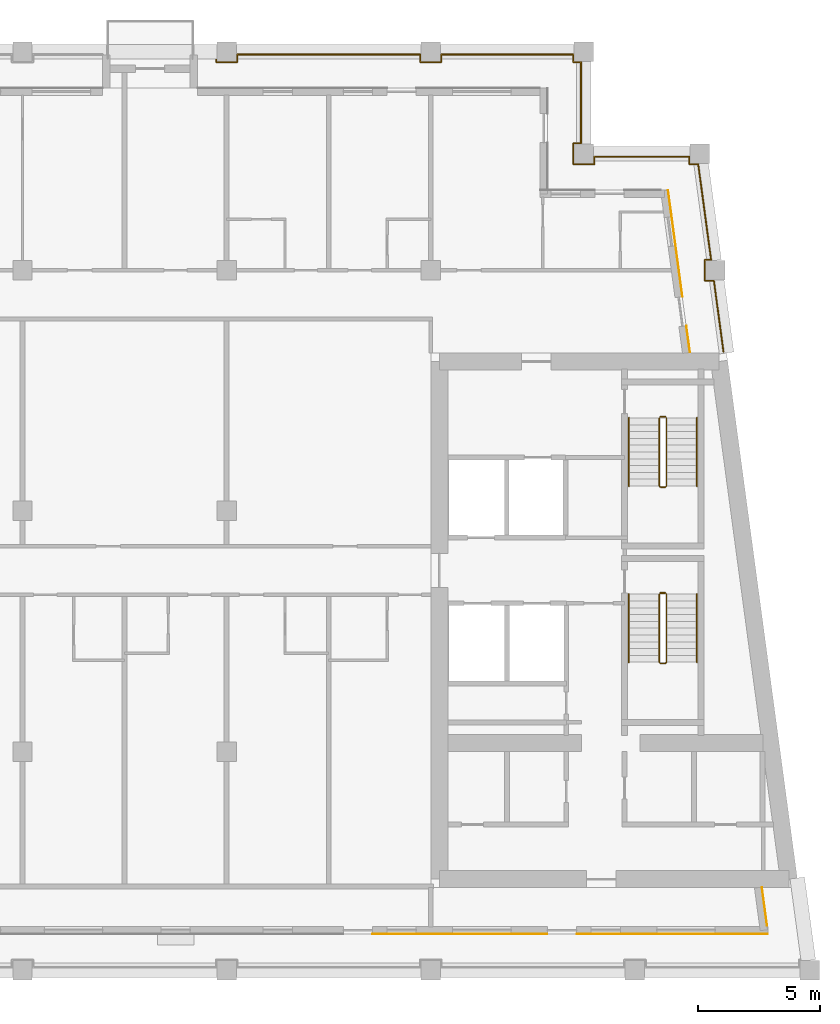
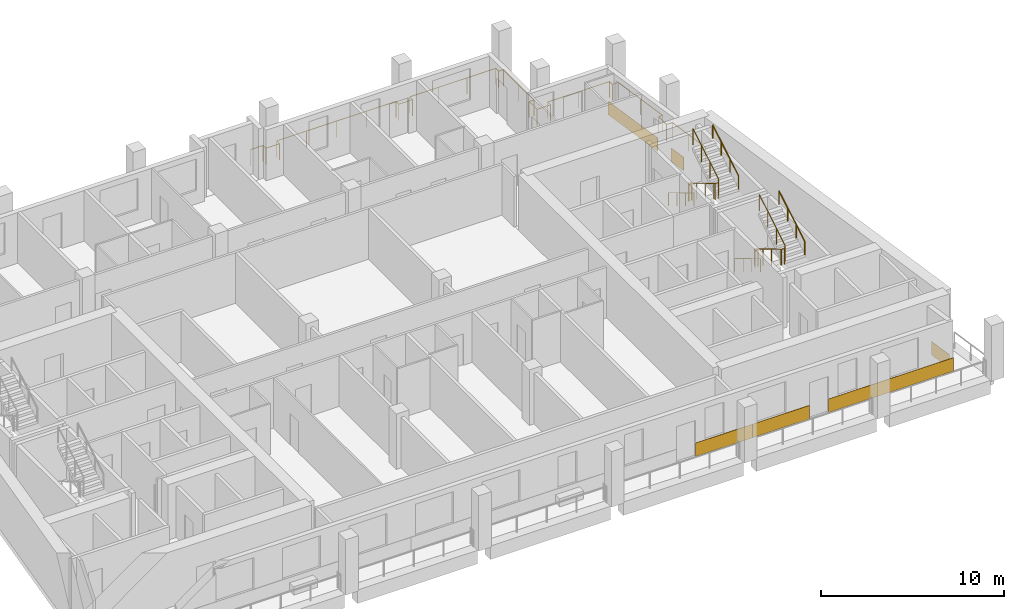
# One storey, part 11 of 13: 9 railings, 6 coverings.
"""IFC4 building model written with IfcOpenShell, lengths in metres."""

import ifcopenshell
import ifcopenshell.guid

model = None  # the IFC model being written
_history = None  # IfcOwnerHistory: only IFC2X3 demands one
_inside = {}  # id of a spatial element -> (the spatial element, [elements in it])
_under = {}  # id of a project, library or spatial element -> (it, [spatial elements below it])
_declared = {}  # id of a project -> (the project, [libraries it declares])
_typed = {}  # id of a type object -> (the type object, [elements of that type])
_made_of = {}  # id of a material, layer set ... -> (it, [elements and type objects made of it])


def new_model(schema):
    """Start an empty IFC model of exactly this schema.

    Asked for "IFC4X3", IfcOpenShell would pick the latest addendum, in which some entities
    have other attributes; the version numbers below select the first issue.
    IFC2X3 requires an IfcOwnerHistory on every rooted entity: one is made here for all.
    """
    global model, _history
    if schema == "IFC4X3":
        model = ifcopenshell.file(schema_version=(4, 3, 0, 0))
    else:
        model = ifcopenshell.file(schema=schema)
    _inside.clear()
    _under.clear()
    _declared.clear()
    _typed.clear()
    _made_of.clear()
    _history = None
    if model.schema == "IFC2X3":
        org = make("IfcOrganization", Name="unknown")
        user = make(
            "IfcPersonAndOrganization",
            ThePerson=make("IfcPerson", FamilyName="unknown"),
            TheOrganization=org,
        )
        app = make(
            "IfcApplication",
            ApplicationDeveloper=org,
            Version="unknown",
            ApplicationFullName="unknown",
            ApplicationIdentifier="unknown",
        )
        _history = make(
            "IfcOwnerHistory",
            OwningUser=user,
            OwningApplication=app,
            ChangeAction="ADDED",
            CreationDate=0,
        )
    return model


def make(cls, **values):
    """One entity of the class cls with the attributes given. An attribute that is None is left unset."""
    return model.create_entity(
        cls, **{name: value for name, value in values.items() if value is not None}
    )


def rooted(cls, **values):
    """An entity with a GlobalId (a new one), such as an element, a storey or a relation."""
    return make(cls, GlobalId=ifcopenshell.guid.new(), OwnerHistory=_history, **values)


def si_unit(unit_type, name, prefix=None):
    """IfcSIUnit, for example si_unit("LENGTHUNIT", "METRE", prefix="MILLI")."""
    return make("IfcSIUnit", UnitType=unit_type, Prefix=prefix, Name=name)


def assignment(units):
    """IfcUnitAssignment: the units of a project."""
    return None if units is None else make("IfcUnitAssignment", Units=units)


def point(xyz):
    """IfcCartesianPoint."""
    return None if xyz is None else make("IfcCartesianPoint", Coordinates=xyz)


def direction(xyz):
    """IfcDirection."""
    return None if xyz is None else make("IfcDirection", DirectionRatios=xyz)


def frame(location, z_axis=None, x_axis=None):
    """IfcAxis2Placement3D, a coordinate frame: its origin and axes. An axis left out is left unset."""
    return make(
        "IfcAxis2Placement3D",
        Location=point(location),
        Axis=direction(z_axis),
        RefDirection=direction(x_axis),
    )


def frame_2d(location, x_axis=None):
    """IfcAxis2Placement2D, a coordinate frame in the plane: its origin and x axis."""
    return make(
        "IfcAxis2Placement2D", Location=point(location), RefDirection=direction(x_axis)
    )


def origin():
    """The frame at (0, 0, 0) with its axes left unset."""
    return frame((0.0, 0.0, 0.0))


def origin_2d():
    """The frame at (0, 0) in the plane with its x axis left unset."""
    return frame_2d((0.0, 0.0))


def place(relative_to, where):
    """IfcLocalPlacement: puts the frame where relative to a parent placement (None: the world)."""
    return make(
        "IfcLocalPlacement", PlacementRelTo=relative_to, RelativePlacement=where
    )


def context(
    kind, dimensions, precision=None, world=None, true_north=None, identifier=None
):
    """IfcGeometricRepresentationContext, for example the 3D "Model" context."""
    return make(
        "IfcGeometricRepresentationContext",
        ContextIdentifier=identifier,
        ContextType=kind,
        CoordinateSpaceDimension=dimensions,
        Precision=precision,
        WorldCoordinateSystem=world,
        TrueNorth=true_north,
    )


def subcontext(parent, identifier, kind, view, scale=None):
    """IfcGeometricRepresentationSubContext, for example "Body" below "Model"."""
    return make(
        "IfcGeometricRepresentationSubContext",
        ContextIdentifier=identifier,
        ContextType=kind,
        ParentContext=parent,
        TargetScale=scale,
        TargetView=view,
    )


def project(units=None, contexts=None):
    """IfcProject with its units and contexts."""
    return rooted(
        "IfcProject",
        Name="project",
        RepresentationContexts=contexts,
        UnitsInContext=assignment(units),
    )


def spatial(cls, under=None, at=None, **own):
    """A site, building, storey or space (cls), placed at a placement, below another one or the project."""
    s = rooted(cls, ObjectPlacement=at, **own)
    if under is not None:
        _under.setdefault(under.id(), (under, []))[1].append(s)
    return s


def profile(cls, at=None, kind="AREA", **sizes):
    """A parametric profile (cls). Its sizes go by their IFC names, for example OverallWidth=200.0."""
    return make(cls, ProfileType=kind, Position=at, **sizes)


def rectangle(**sizes):
    """IfcRectangleProfileDef."""
    return profile("IfcRectangleProfileDef", **sizes)


def circle(**sizes):
    """IfcCircleProfileDef."""
    return profile("IfcCircleProfileDef", **sizes)


def extrude(swept, where, along, depth):
    """IfcExtrudedAreaSolid: the profile swept, set in the frame where, extruded along a direction by depth."""
    return make(
        "IfcExtrudedAreaSolid",
        SweptArea=swept,
        Position=where,
        ExtrudedDirection=direction(along),
        Depth=depth,
    )


def shape(context_of_items, identifier, shape_type, items):
    """IfcShapeRepresentation: the items that make up one representation, for example the "Body"."""
    return make(
        "IfcShapeRepresentation",
        ContextOfItems=context_of_items,
        RepresentationIdentifier=identifier,
        RepresentationType=shape_type,
        Items=items,
    )


def material(Name=None, Category=None):
    """IfcMaterial."""
    return make("IfcMaterial", Name=Name, Category=Category)


def layer(
    of_material, thickness, ventilated=None, Name=None, Category=None, Priority=None
):
    """IfcMaterialLayer: one layer of a wall or slab, of a material (None: an air gap)."""
    return make(
        "IfcMaterialLayer",
        Material=of_material,
        LayerThickness=thickness,
        IsVentilated=ventilated,
        Name=Name,
        Category=Category,
        Priority=Priority,
    )


def layer_set(layers, Name=None):
    """IfcMaterialLayerSet."""
    return make("IfcMaterialLayerSet", MaterialLayers=layers, LayerSetName=Name)


def made_of(thing, what):
    """Note that an element or type object is made of a material, layer set ...; save() writes the relation."""
    if what is not None:
        _made_of.setdefault(what.id(), (what, []))[1].append(thing)
    return thing


def type_object(cls, material=None, **own):
    """A type object (cls), such as IfcWallType, which elements share."""
    return made_of(rooted(cls, **own), material)


def element(
    cls,
    number,
    at=None,
    inside=None,
    cuts=None,
    type_object=None,
    material=None,
    context=None,
    identifier="Body",
    shape_type=None,
    held_by="IfcProductDefinitionShape",
    body=None,
    shapes=None,
    **own,
):
    """One element of the class cls, such as IfcWall. Its Tag is "e" and its number.

    at: its placement. inside: the storey or other place that contains it. cuts: it is an
    opening in that element (IfcRelVoidsElement). A single representation is given by context,
    identifier, shape_type and body (its items); several are given by shapes. held_by: the class
    of the entity that holds the representations. save() writes the other relations.
    """
    e = rooted(cls, Tag="e%d" % number, ObjectPlacement=at, **own)
    if body is not None:
        shapes = [shape(context, identifier, shape_type, body)]
    if shapes is not None:
        e.Representation = make(held_by, Representations=shapes)
    if inside is not None:
        _inside.setdefault(inside.id(), (inside, []))[1].append(e)
    if cuts is not None:
        rooted(
            "IfcRelVoidsElement", RelatingBuildingElement=cuts, RelatedOpeningElement=e
        )
    if type_object is not None:
        _typed.setdefault(type_object.id(), (type_object, []))[1].append(e)
    return made_of(e, material)


def aggregate(whole, parts):
    """IfcRelAggregates: a whole, such as a stair, and the parts it consists of."""
    return rooted("IfcRelAggregates", RelatingObject=whole, RelatedObjects=parts)


def save(model, path):
    """Write the relations noted so far, then the file.

    IfcRelAggregates (storeys below a building ...), IfcRelContainedInSpatialStructure (elements
    in a storey), IfcRelDefinesByType, IfcRelAssociatesMaterial and IfcRelDeclares: one each for
    every whole, place, type object, material and project.
    """
    for whole, parts in _under.values():
        aggregate(whole, parts)
    for where, things in _inside.values():
        rooted(
            "IfcRelContainedInSpatialStructure",
            RelatedElements=things,
            RelatingStructure=where,
        )
    for kind, things in _typed.values():
        rooted("IfcRelDefinesByType", RelatedObjects=things, RelatingType=kind)
    for what, things in _made_of.values():
        rooted("IfcRelAssociatesMaterial", RelatedObjects=things, RelatingMaterial=what)
    for by, libraries in _declared.values():
        rooted("IfcRelDeclares", RelatingContext=by, RelatedDefinitions=libraries)
    model.write(path)


model = new_model("IFC4")

# Units and contexts
model_context = context("Model", 3, precision=1e-05, world=origin(), true_north=direction((0.0, 1.0)))
body_context = subcontext(model_context, "Body", "Model", "MODEL_VIEW")
ifc_project = project(units=[si_unit("LENGTHUNIT", "METRE"), si_unit("AREAUNIT", "SQUARE_METRE"), si_unit("VOLUMEUNIT", "CUBIC_METRE"), si_unit("PLANEANGLEUNIT", "RADIAN"), si_unit("MASSUNIT", "GRAM", prefix="KILO")], contexts=[model_context])

# Site, building, storey
site_placement = place(None, origin())
site = spatial("IfcSite", under=ifc_project, at=site_placement, CompositionType="ELEMENT")
building_placement = place(site_placement, origin())
building = spatial("IfcBuilding", under=site, at=building_placement, Name="Candeia Pilgrim Tower and Theatre", CompositionType="ELEMENT")
storey_placement = place(building_placement, frame((0.0, 0.0, 270.10009765625)))
storey = spatial("IfcBuildingStorey", under=building, at=storey_placement, Name="L65", CompositionType="ELEMENT", Elevation=270.10009765625)

# Railing
ifc_material_1 = material(Name="Stainless steel balustrade", Category="steel")
railing_type_1 = type_object("IfcRailingType", Name="G1 loggia guard 1100", PredefinedType="GUARDRAIL", material=ifc_material_1)
railing_1_placement = place(storey_placement, frame((116.39990234375, 144.679931640625, 0.0)))
element("IfcRailing", 1, at=railing_1_placement, inside=storey, type_object=railing_type_1, Name="Guard L65.2", PredefinedType="GUARDRAIL", context=body_context, shape_type="SweptSolid", body=[
    extrude(circle(Radius=0.02392578125, at=origin_2d()), frame((0.0, 0.0, 1.076171875), z_axis=(1.0, 0.0, 0.0), x_axis=(0.0, 1.0, 0.0)), (0.0, 0.0, 1.0), 0.77001953125),
    extrude(circle(Radius=0.02392578125, at=origin_2d()), frame((0.77001953125, 0.0, 1.076171875), z_axis=(0.0, -1.0, 0.0), x_axis=(1.0, 0.0, 0.0)), (0.0, 0.0, 1.0), 0.309814453125),
    extrude(circle(Radius=0.02392578125, at=origin_2d()), frame((0.77001953125, -0.309814453125, 1.076171875), z_axis=(1.0, 0.0, 0.0), x_axis=(0.0, 1.0, 0.0)), (0.0, 0.0, 1.0), 0.860107421875),
    extrude(circle(Radius=0.02392578125, at=origin_2d()), frame((1.630126953125, -0.309814453125, 1.076171875), z_axis=(0.0, 1.0, 0.0), x_axis=(-1.0, 0.0, 0.0)), (0.0, 0.0, 1.0), 0.309814453125),
    extrude(circle(Radius=0.02392578125, at=origin_2d()), frame((1.630126953125, 0.0, 1.076171875), z_axis=(1.0, 0.0, 0.0), x_axis=(0.0, 1.0, 0.0)), (0.0, 0.0, 1.0), 7.5400390625),
    extrude(circle(Radius=0.02392578125, at=origin_2d()), frame((9.170166015625, 0.0, 1.076171875), z_axis=(0.0, -1.0, 0.0), x_axis=(1.0, 0.0, 0.0)), (0.0, 0.0, 1.0), 0.309814453125),
    extrude(circle(Radius=0.02392578125, at=origin_2d()), frame((9.170166015625, -0.309814453125, 1.076171875), z_axis=(1.0, 0.0, 0.0), x_axis=(0.0, 1.0, 0.0)), (0.0, 0.0, 1.0), 0.85986328125),
    extrude(circle(Radius=0.02392578125, at=origin_2d()), frame((10.030029296875, -0.309814453125, 1.076171875), z_axis=(0.0, 1.0, 0.0), x_axis=(-1.0, 0.0, 0.0)), (0.0, 0.0, 1.0), 0.309814453125),
    extrude(circle(Radius=0.02392578125, at=origin_2d()), frame((10.030029296875, 0.0, 1.076171875), z_axis=(1.0, 0.0, 0.0), x_axis=(0.0, 1.0, 0.0)), (0.0, 0.0, 1.0), 5.440185546875),
    extrude(circle(Radius=0.02392578125, at=origin_2d()), frame((15.47021484375, 0.0, 1.076171875), z_axis=(0.0, -1.0, 0.0), x_axis=(1.0, 0.0, 0.0)), (0.0, 0.0, 1.0), 0.309814453125),
    extrude(circle(Radius=0.02392578125, at=origin_2d()), frame((15.47021484375, -0.309814453125, 1.076171875), z_axis=(1.0, 0.0, 0.0), x_axis=(0.0, 1.0, 0.0)), (0.0, 0.0, 1.0), 0.309814453125),
    extrude(circle(Radius=0.02392578125, at=origin_2d()), frame((15.780029296875, -0.309814453125, 1.076171875), z_axis=(0.0, -1.0, 0.0), x_axis=(1.0, 0.0, 0.0)), (0.0, 0.0, 1.0), 3.340087890625),
    extrude(circle(Radius=0.02392578125, at=origin_2d()), frame((15.780029296875, -3.64990234375, 1.076171875), z_axis=(-1.0, 0.0, 0.0), x_axis=(0.0, -1.0, 0.0)), (0.0, 0.0, 1.0), 0.309814453125),
    extrude(circle(Radius=0.02392578125, at=origin_2d()), frame((15.47021484375, -3.64990234375, 1.076171875), z_axis=(0.0, -1.0, 0.0), x_axis=(1.0, 0.0, 0.0)), (0.0, 0.0, 1.0), 0.860107421875),
    extrude(circle(Radius=0.02392578125, at=origin_2d()), frame((15.47021484375, -4.510009765625, 1.076171875), z_axis=(1.0, 0.0, 0.0), x_axis=(0.0, 1.0, 0.0)), (0.0, 0.0, 1.0), 0.85986328125),
    extrude(circle(Radius=0.02392578125, at=origin_2d()), frame((16.330078125, -4.510009765625, 1.076171875), z_axis=(0.0, 1.0, 0.0), x_axis=(-1.0, 0.0, 0.0)), (0.0, 0.0, 1.0), 0.31005859375),
    extrude(circle(Radius=0.02392578125, at=origin_2d()), frame((16.330078125, -4.199951171875, 1.076171875), z_axis=(1.0, 0.0, 0.0), x_axis=(0.0, 1.0, 0.0)), (0.0, 0.0, 1.0), 3.905517578125),
    extrude(circle(Radius=0.02392578125, at=origin_2d()), frame((20.235595703125, -4.199951171875, 1.076171875), z_axis=(0.0, -1.0, 0.0), x_axis=(1.0, 0.0, 0.0)), (0.0, 0.0, 1.0), 0.31005859375),
    extrude(circle(Radius=0.02392578125, at=origin_2d()), frame((20.235595703125, -4.510009765625, 1.076171875), z_axis=(1.0, 0.0, 0.0), x_axis=(0.0, 1.0, 0.0)), (0.0, 0.0, 1.0), 0.36669921875),
    extrude(circle(Radius=0.02392578125, at=origin_2d()), frame((20.602294921875, -4.510009765625, 1.076171875), z_axis=(0.133386492616, -0.991064096609, 0.0), x_axis=(0.991064096609, 0.133386492616, 0.0)), (0.0, 0.0, 1.0), 3.9755859375),
    extrude(circle(Radius=0.02392578125, at=origin_2d()), frame((21.132568359375, -8.449951171875, 1.076171875), z_axis=(-1.0, 0.0, 0.0), x_axis=(0.0, -1.0, 0.0)), (0.0, 0.0, 1.0), 0.2509765625),
    extrude(circle(Radius=0.02392578125, at=origin_2d()), frame((20.881591796875, -8.449951171875, 1.076171875), z_axis=(0.0, -1.0, 0.0), x_axis=(1.0, 0.0, 0.0)), (0.0, 0.0, 1.0), 0.85986328125),
    extrude(circle(Radius=0.02392578125, at=origin_2d()), frame((20.881591796875, -9.309814453125, 1.076171875), z_axis=(1.0, 0.0, 0.0), x_axis=(0.0, 1.0, 0.0)), (0.0, 0.0, 1.0), 0.366943359375),
    extrude(circle(Radius=0.02392578125, at=origin_2d()), frame((21.24853515625, -9.309814453125, 1.076171875), z_axis=(0.133401056725, -0.991062136329, 0.0), x_axis=(0.991062136329, 0.133401056725, 0.0)), (0.0, 0.0, 1.0), 2.946533203125),
    extrude(circle(Radius=0.02099609375, at=origin_2d()), origin(), (0.0, 0.0, 1.0), 1.052001953125),
    extrude(circle(Radius=0.02099609375, at=origin_2d()), frame((0.77001953125, 0.0, 0.0)), (0.0, 0.0, 1.0), 1.052001953125),
    extrude(circle(Radius=0.02099609375, at=origin_2d()), frame((0.77001953125, -0.309814453125, 0.0)), (0.0, 0.0, 1.0), 1.052001953125),
    extrude(circle(Radius=0.02099609375, at=origin_2d()), frame((1.630126953125, -0.309814453125, 0.0)), (0.0, 0.0, 1.0), 1.052001953125),
    extrude(circle(Radius=0.02099609375, at=origin_2d()), frame((1.630126953125, 0.0, 0.0)), (0.0, 0.0, 1.0), 1.052001953125),
    extrude(circle(Radius=0.02099609375, at=origin_2d()), frame((3.51513671875, 0.0, 0.0)), (0.0, 0.0, 1.0), 1.052001953125),
    extrude(circle(Radius=0.02099609375, at=origin_2d()), frame((5.400146484375, 0.0, 0.0)), (0.0, 0.0, 1.0), 1.052001953125),
    extrude(circle(Radius=0.02099609375, at=origin_2d()), frame((7.28515625, 0.0, 0.0)), (0.0, 0.0, 1.0), 1.052001953125),
    extrude(circle(Radius=0.02099609375, at=origin_2d()), frame((9.170166015625, 0.0, 0.0)), (0.0, 0.0, 1.0), 1.052001953125),
    extrude(circle(Radius=0.02099609375, at=origin_2d()), frame((9.170166015625, -0.309814453125, 0.0)), (0.0, 0.0, 1.0), 1.052001953125),
    extrude(circle(Radius=0.02099609375, at=origin_2d()), frame((10.030029296875, -0.309814453125, 0.0)), (0.0, 0.0, 1.0), 1.052001953125),
    extrude(circle(Radius=0.02099609375, at=origin_2d()), frame((10.030029296875, 0.0, 0.0)), (0.0, 0.0, 1.0), 1.052001953125),
    extrude(circle(Radius=0.02099609375, at=origin_2d()), frame((11.843505859375, 0.0, 0.0)), (0.0, 0.0, 1.0), 1.052001953125),
    extrude(circle(Radius=0.02099609375, at=origin_2d()), frame((13.65673828125, 0.0, 0.0)), (0.0, 0.0, 1.0), 1.052001953125),
    extrude(circle(Radius=0.02099609375, at=origin_2d()), frame((15.47021484375, 0.0, 0.0)), (0.0, 0.0, 1.0), 1.052001953125),
    extrude(circle(Radius=0.02099609375, at=origin_2d()), frame((15.47021484375, -0.309814453125, 0.0)), (0.0, 0.0, 1.0), 1.052001953125),
    extrude(circle(Radius=0.02099609375, at=origin_2d()), frame((15.780029296875, -0.309814453125, 0.0)), (0.0, 0.0, 1.0), 1.052001953125),
    extrude(circle(Radius=0.02099609375, at=origin_2d()), frame((15.780029296875, -1.97998046875, 0.0)), (0.0, 0.0, 1.0), 1.052001953125),
    extrude(circle(Radius=0.02099609375, at=origin_2d()), frame((15.780029296875, -3.64990234375, 0.0)), (0.0, 0.0, 1.0), 1.052001953125),
    extrude(circle(Radius=0.02099609375, at=origin_2d()), frame((15.47021484375, -3.64990234375, 0.0)), (0.0, 0.0, 1.0), 1.052001953125),
    extrude(circle(Radius=0.02099609375, at=origin_2d()), frame((15.47021484375, -4.510009765625, 0.0)), (0.0, 0.0, 1.0), 1.052001953125),
    extrude(circle(Radius=0.02099609375, at=origin_2d()), frame((16.330078125, -4.510009765625, 0.0)), (0.0, 0.0, 1.0), 1.052001953125),
    extrude(circle(Radius=0.02099609375, at=origin_2d()), frame((16.330078125, -4.199951171875, 0.0)), (0.0, 0.0, 1.0), 1.052001953125),
    extrude(circle(Radius=0.02099609375, at=origin_2d()), frame((18.28271484375, -4.199951171875, 0.0)), (0.0, 0.0, 1.0), 1.052001953125),
    extrude(circle(Radius=0.02099609375, at=origin_2d()), frame((20.235595703125, -4.199951171875, 0.0)), (0.0, 0.0, 1.0), 1.052001953125),
    extrude(circle(Radius=0.02099609375, at=origin_2d()), frame((20.235595703125, -4.510009765625, 0.0)), (0.0, 0.0, 1.0), 1.052001953125),
    extrude(circle(Radius=0.02099609375, at=origin_2d()), frame((20.602294921875, -4.510009765625, 0.0)), (0.0, 0.0, 1.0), 1.052001953125),
    extrude(circle(Radius=0.02099609375, at=origin_2d()), frame((20.867431640625, -6.47998046875, 0.0)), (0.0, 0.0, 1.0), 1.052001953125),
    extrude(circle(Radius=0.02099609375, at=origin_2d()), frame((21.132568359375, -8.449951171875, 0.0)), (0.0, 0.0, 1.0), 1.052001953125),
    extrude(circle(Radius=0.02099609375, at=origin_2d()), frame((20.881591796875, -8.449951171875, 0.0)), (0.0, 0.0, 1.0), 1.052001953125),
    extrude(circle(Radius=0.02099609375, at=origin_2d()), frame((20.881591796875, -9.309814453125, 0.0)), (0.0, 0.0, 1.0), 1.052001953125),
    extrude(circle(Radius=0.02099609375, at=origin_2d()), frame((21.24853515625, -9.309814453125, 0.0)), (0.0, 0.0, 1.0), 1.052001953125),
    extrude(circle(Radius=0.02099609375, at=origin_2d()), frame((21.445068359375, -10.77001953125, 0.0)), (0.0, 0.0, 1.0), 1.052001953125),
    extrude(circle(Radius=0.02099609375, at=origin_2d()), frame((21.6416015625, -12.22998046875, 0.0)), (0.0, 0.0, 1.0), 1.052001953125),
])

# Coverings
ifc_material_2 = material(Name="Glazed ceramic tile bottle green")
ifc_layer_1 = layer(ifc_material_2, 0.02001953125)
ifc_layer_set_1 = layer_set([ifc_layer_1], Name="Glazed ceramic tile bottle green")
covering_type_1 = type_object("IfcCoveringType", Name="Glazed ceramic tile bottle green", PredefinedType="CLADDING", material=ifc_layer_set_1)
covering_1_placement = place(storey_placement, frame((129.0, 108.489990234375, 0.0), z_axis=(0.0, 0.0, 1.0), x_axis=(1.0, 0.0, 0.0)))
element("IfcCovering", 2, at=covering_1_placement, inside=storey, type_object=covering_type_1, Name="Tile cladding bottle green L65", PredefinedType="CLADDING", context=body_context, shape_type="SweptSolid", body=[
    extrude(rectangle(XDim=3.60009765625, YDim=0.02001953125, at=origin_2d()), origin(), (0.0, 0.0, 1.0), 0.89990234375),
])
covering_2_placement = place(storey_placement, frame((135.9365234375, 108.489990234375, 0.0), z_axis=(0.0, 0.0, 1.0), x_axis=(1.0, 0.0, 0.0)))
element("IfcCovering", 3, at=covering_2_placement, inside=storey, type_object=covering_type_1, Name="Tile cladding bottle green L65", PredefinedType="CLADDING", context=body_context, shape_type="SweptSolid", body=[
    extrude(rectangle(XDim=7.873046875, YDim=0.02001953125, at=origin_2d()), origin(), (0.0, 0.0, 1.0), 0.89990234375),
])
covering_3_placement = place(storey_placement, frame((139.73095703125, 109.630615234375, 0.0), z_axis=(0.0, 0.0, 1.0), x_axis=(-0.133412012145, 0.991060661622, 0.0)))
element("IfcCovering", 4, at=covering_3_placement, inside=storey, type_object=covering_type_1, Name="Tile cladding bottle green L65", PredefinedType="CLADDING", context=body_context, shape_type="SweptSolid", body=[
    extrude(rectangle(XDim=1.595703125, YDim=0.02001953125, at=origin_2d()), origin(), (0.0, 0.0, 1.0), 0.89990234375),
])
ifc_material_3 = material(Name="Glazed ceramic tile rust")
ifc_layer_2 = layer(ifc_material_3, 0.02001953125)
ifc_layer_set_2 = layer_set([ifc_layer_2], Name="Glazed ceramic tile rust")
covering_type_2 = type_object("IfcCoveringType", Name="Glazed ceramic tile rust", PredefinedType="CLADDING", material=ifc_layer_set_2)
covering_4_placement = place(storey_placement, frame((125.39990234375, 108.489990234375, 0.0), z_axis=(0.0, 0.0, 1.0), x_axis=(1.0, 0.0, 0.0)))
element("IfcCovering", 5, at=covering_4_placement, inside=storey, type_object=covering_type_2, Name="Tile cladding rust L65", PredefinedType="CLADDING", context=body_context, shape_type="SweptSolid", body=[
    extrude(rectangle(XDim=3.60009765625, YDim=0.02001953125, at=origin_2d()), origin(), (0.0, 0.0, 1.0), 0.89990234375),
])
covering_5_placement = place(storey_placement, frame((136.588623046875, 132.97412109375, 0.0), z_axis=(0.0, 0.0, 1.0), x_axis=(-0.133412012145, 0.991060661622, 0.0)))
element("IfcCovering", 6, at=covering_5_placement, inside=storey, type_object=covering_type_2, Name="Tile cladding rust L65", PredefinedType="CLADDING", context=body_context, shape_type="SweptSolid", body=[
    extrude(rectangle(XDim=1.115234375, YDim=0.02001953125, at=origin_2d()), origin(), (0.0, 0.0, 1.0), 0.89990234375),
])
covering_6_placement = place(storey_placement, frame((136.058837890625, 136.90869140625, 0.0), z_axis=(0.0, 0.0, 1.0), x_axis=(-0.133412012145, 0.991060661622, 0.0)))
element("IfcCovering", 7, at=covering_6_placement, inside=storey, type_object=covering_type_2, Name="Tile cladding rust L65", PredefinedType="CLADDING", context=body_context, shape_type="SweptSolid", body=[
    extrude(rectangle(XDim=4.4248046875, YDim=0.02001953125, at=origin_2d()), origin(), (0.0, 0.0, 1.0), 0.89990234375),
])

# Railings
railing_type_2 = type_object("IfcRailingType", Name="RL-GUARD-1100", PredefinedType="GUARDRAIL", material=ifc_material_1)
railing_2_placement = place(storey_placement, frame((135.39794921875, 122.47509765625, 0.16796875)))
element("IfcRailing", 8, at=railing_2_placement, inside=storey, type_object=railing_type_2, Name="L65 ST3 stair guard 1", PredefinedType="GUARDRAIL", context=body_context, shape_type="SweptSolid", body=[
    extrude(circle(Radius=0.02392578125, at=origin_2d()), frame((0.0, 0.0, 1.076171875), z_axis=(0.0, -0.857242210791, 0.514913383045), x_axis=(1.0, 0.0, 0.0)), (0.0, 0.0, 1.0), 3.266357421875),
    extrude(circle(Radius=0.02392578125, at=origin_2d()), frame((0.0, -2.800048828125, 2.7578125), z_axis=(0.707106781187, -0.707106781187, 0.0), x_axis=(0.707106781187, 0.707106781187, 0.0)), (0.0, 0.0, 1.0), 0.07080078125),
    extrude(circle(Radius=0.02392578125, at=origin_2d()), frame((0.050048828125, -2.85009765625, 2.7578125), z_axis=(1.0, 0.0, 0.0), x_axis=(0.0, 1.0, 0.0)), (0.0, 0.0, 1.0), 0.199951171875),
    extrude(circle(Radius=0.02392578125, at=origin_2d()), frame((0.25, -2.85009765625, 2.7578125), z_axis=(0.274243871929, 0.274243871929, 0.92172696468), x_axis=(-0.707106781187, 0.707106781187, 0.0)), (0.0, 0.0, 1.0), 0.1826171875),
    extrude(circle(Radius=0.02392578125, at=origin_2d()), frame((0.300048828125, -2.800048828125, 2.92626953125), z_axis=(0.0, 0.857242210791, 0.514913383045), x_axis=(-1.0, 0.0, 0.0)), (0.0, 0.0, 1.0), 3.266357421875),
    extrude(circle(Radius=0.02099609375, at=origin_2d()), origin(), (0.0, 0.0, 1.0), 1.052001953125),
    extrude(circle(Radius=0.02099609375, at=origin_2d()), frame((0.0, -0.933349609375, 0.560546875)), (0.0, 0.0, 1.0), 1.052001953125),
    extrude(circle(Radius=0.02099609375, at=origin_2d()), frame((0.0, -1.86669921875, 1.121337890625)), (0.0, 0.0, 1.0), 1.052001953125),
    extrude(circle(Radius=0.02099609375, at=origin_2d()), frame((0.0, -2.800048828125, 1.681884765625)), (0.0, 0.0, 1.0), 1.052001953125),
    extrude(circle(Radius=0.02099609375, at=origin_2d()), frame((0.050048828125, -2.85009765625, 1.681884765625)), (0.0, 0.0, 1.0), 1.052001953125),
    extrude(circle(Radius=0.02099609375, at=origin_2d()), frame((0.25, -2.85009765625, 1.681884765625)), (0.0, 0.0, 1.0), 1.052001953125),
    extrude(circle(Radius=0.02099609375, at=origin_2d()), frame((0.300048828125, -2.800048828125, 1.85009765625)), (0.0, 0.0, 1.0), 1.052001953125),
    extrude(circle(Radius=0.02099609375, at=origin_2d()), frame((0.300048828125, -1.86669921875, 2.41064453125)), (0.0, 0.0, 1.0), 1.052001953125),
    extrude(circle(Radius=0.02099609375, at=origin_2d()), frame((0.300048828125, -0.933349609375, 2.971435546875)), (0.0, 0.0, 1.0), 1.052001953125),
    extrude(circle(Radius=0.02099609375, at=origin_2d()), frame((0.300048828125, 0.0, 3.531982421875)), (0.0, 0.0, 1.0), 1.052001953125),
])
railing_3_placement = place(storey_placement, frame((135.447998046875, 122.52490234375, 0.0)))
element("IfcRailing", 9, at=railing_3_placement, inside=storey, type_object=railing_type_2, Name="L65 ST3 stair guard 2", PredefinedType="GUARDRAIL", context=body_context, shape_type="SweptSolid", body=[
    extrude(circle(Radius=0.02392578125, at=origin_2d()), frame((0.0, 0.0, 1.076171875), z_axis=(1.0, 0.0, 0.0), x_axis=(0.0, 1.0, 0.0)), (0.0, 0.0, 1.0), 0.199951171875),
    extrude(circle(Radius=0.02099609375, at=origin_2d()), origin(), (0.0, 0.0, 1.0), 1.052001953125),
    extrude(circle(Radius=0.02099609375, at=origin_2d()), frame((0.199951171875, 0.0, 0.0)), (0.0, 0.0, 1.0), 1.052001953125),
])
railing_4_placement = place(storey_placement, frame((135.39794921875, 129.72509765625, 0.16796875)))
element("IfcRailing", 10, at=railing_4_placement, inside=storey, type_object=railing_type_2, Name="L65 ST4 stair guard 1", PredefinedType="GUARDRAIL", context=body_context, shape_type="SweptSolid", body=[
    extrude(circle(Radius=0.02392578125, at=origin_2d()), frame((0.0, 0.0, 1.076171875), z_axis=(0.0, -0.857242210791, 0.514913383045), x_axis=(1.0, 0.0, 0.0)), (0.0, 0.0, 1.0), 3.266357421875),
    extrude(circle(Radius=0.02392578125, at=origin_2d()), frame((0.0, -2.800048828125, 2.7578125), z_axis=(0.707106781187, -0.707106781187, 0.0), x_axis=(0.707106781187, 0.707106781187, 0.0)), (0.0, 0.0, 1.0), 0.07080078125),
    extrude(circle(Radius=0.02392578125, at=origin_2d()), frame((0.050048828125, -2.85009765625, 2.7578125), z_axis=(1.0, 0.0, 0.0), x_axis=(0.0, 1.0, 0.0)), (0.0, 0.0, 1.0), 0.199951171875),
    extrude(circle(Radius=0.02392578125, at=origin_2d()), frame((0.25, -2.85009765625, 2.7578125), z_axis=(0.274243871929, 0.274243871929, 0.92172696468), x_axis=(-0.707106781187, 0.707106781187, 0.0)), (0.0, 0.0, 1.0), 0.1826171875),
    extrude(circle(Radius=0.02392578125, at=origin_2d()), frame((0.300048828125, -2.800048828125, 2.92626953125), z_axis=(0.0, 0.857242210791, 0.514913383045), x_axis=(-1.0, 0.0, 0.0)), (0.0, 0.0, 1.0), 3.266357421875),
    extrude(circle(Radius=0.02099609375, at=origin_2d()), origin(), (0.0, 0.0, 1.0), 1.052001953125),
    extrude(circle(Radius=0.02099609375, at=origin_2d()), frame((0.0, -0.933349609375, 0.560546875)), (0.0, 0.0, 1.0), 1.052001953125),
    extrude(circle(Radius=0.02099609375, at=origin_2d()), frame((0.0, -1.86669921875, 1.121337890625)), (0.0, 0.0, 1.0), 1.052001953125),
    extrude(circle(Radius=0.02099609375, at=origin_2d()), frame((0.0, -2.800048828125, 1.681884765625)), (0.0, 0.0, 1.0), 1.052001953125),
    extrude(circle(Radius=0.02099609375, at=origin_2d()), frame((0.050048828125, -2.85009765625, 1.681884765625)), (0.0, 0.0, 1.0), 1.052001953125),
    extrude(circle(Radius=0.02099609375, at=origin_2d()), frame((0.25, -2.85009765625, 1.681884765625)), (0.0, 0.0, 1.0), 1.052001953125),
    extrude(circle(Radius=0.02099609375, at=origin_2d()), frame((0.300048828125, -2.800048828125, 1.85009765625)), (0.0, 0.0, 1.0), 1.052001953125),
    extrude(circle(Radius=0.02099609375, at=origin_2d()), frame((0.300048828125, -1.86669921875, 2.41064453125)), (0.0, 0.0, 1.0), 1.052001953125),
    extrude(circle(Radius=0.02099609375, at=origin_2d()), frame((0.300048828125, -0.933349609375, 2.971435546875)), (0.0, 0.0, 1.0), 1.052001953125),
    extrude(circle(Radius=0.02099609375, at=origin_2d()), frame((0.300048828125, 0.0, 3.531982421875)), (0.0, 0.0, 1.0), 1.052001953125),
])
railing_5_placement = place(storey_placement, frame((135.447998046875, 129.77490234375, 0.0)))
element("IfcRailing", 11, at=railing_5_placement, inside=storey, type_object=railing_type_2, Name="L65 ST4 stair guard 2", PredefinedType="GUARDRAIL", context=body_context, shape_type="SweptSolid", body=[
    extrude(circle(Radius=0.02392578125, at=origin_2d()), frame((0.0, 0.0, 1.076171875), z_axis=(1.0, 0.0, 0.0), x_axis=(0.0, 1.0, 0.0)), (0.0, 0.0, 1.0), 0.199951171875),
    extrude(circle(Radius=0.02099609375, at=origin_2d()), origin(), (0.0, 0.0, 1.0), 1.052001953125),
    extrude(circle(Radius=0.02099609375, at=origin_2d()), frame((0.199951171875, 0.0, 0.0)), (0.0, 0.0, 1.0), 1.052001953125),
])
ifc_material_4 = material(Name="Stainless steel handrail", Category="steel")
railing_type_3 = type_object("IfcRailingType", Name="RL-HANDRAIL-900", PredefinedType="HANDRAIL", material=ifc_material_4)
railing_6_placement = place(storey_placement, frame((134.14794921875, 122.47509765625, 0.16796875)))
element("IfcRailing", 12, at=railing_6_placement, inside=storey, type_object=railing_type_3, Name="L65 ST3 stair handrail 1", PredefinedType="HANDRAIL", context=body_context, shape_type="SweptSolid", body=[
    extrude(circle(Radius=0.02392578125, at=origin_2d()), frame((0.0, 0.0, 0.8759765625), z_axis=(0.0, -0.857242210791, 0.514913383045), x_axis=(1.0, 0.0, 0.0)), (0.0, 0.0, 1.0), 3.266357421875),
    extrude(circle(Radius=0.02099609375, at=origin_2d()), origin(), (0.0, 0.0, 1.0), 0.851806640625),
    extrude(circle(Radius=0.02099609375, at=origin_2d()), frame((0.0, -0.933349609375, 0.560546875)), (0.0, 0.0, 1.0), 0.851806640625),
    extrude(circle(Radius=0.02099609375, at=origin_2d()), frame((0.0, -1.86669921875, 1.121337890625)), (0.0, 0.0, 1.0), 0.851806640625),
    extrude(circle(Radius=0.02099609375, at=origin_2d()), frame((0.0, -2.800048828125, 1.681884765625)), (0.0, 0.0, 1.0), 0.851806640625),
])
railing_7_placement = place(storey_placement, frame((136.947998046875, 119.675048828125, 2.01806640625)))
element("IfcRailing", 13, at=railing_7_placement, inside=storey, type_object=railing_type_3, Name="L65 ST3 stair handrail 2", PredefinedType="HANDRAIL", context=body_context, shape_type="SweptSolid", body=[
    extrude(circle(Radius=0.02392578125, at=origin_2d()), frame((0.0, 0.0, 0.8759765625), z_axis=(0.0, 0.857242210791, 0.514913383045), x_axis=(-1.0, 0.0, 0.0)), (0.0, 0.0, 1.0), 3.266357421875),
    extrude(circle(Radius=0.02099609375, at=origin_2d()), origin(), (0.0, 0.0, 1.0), 0.851806640625),
    extrude(circle(Radius=0.02099609375, at=origin_2d()), frame((0.0, 0.933349609375, 0.560546875)), (0.0, 0.0, 1.0), 0.851806640625),
    extrude(circle(Radius=0.02099609375, at=origin_2d()), frame((0.0, 1.86669921875, 1.121337890625)), (0.0, 0.0, 1.0), 0.851806640625),
    extrude(circle(Radius=0.02099609375, at=origin_2d()), frame((0.0, 2.800048828125, 1.681884765625)), (0.0, 0.0, 1.0), 0.851806640625),
])
railing_8_placement = place(storey_placement, frame((134.14794921875, 129.72509765625, 0.16796875)))
element("IfcRailing", 14, at=railing_8_placement, inside=storey, type_object=railing_type_3, Name="L65 ST4 stair handrail 1", PredefinedType="HANDRAIL", context=body_context, shape_type="SweptSolid", body=[
    extrude(circle(Radius=0.02392578125, at=origin_2d()), frame((0.0, 0.0, 0.8759765625), z_axis=(0.0, -0.857242210791, 0.514913383045), x_axis=(1.0, 0.0, 0.0)), (0.0, 0.0, 1.0), 3.266357421875),
    extrude(circle(Radius=0.02099609375, at=origin_2d()), origin(), (0.0, 0.0, 1.0), 0.851806640625),
    extrude(circle(Radius=0.02099609375, at=origin_2d()), frame((0.0, -0.933349609375, 0.560546875)), (0.0, 0.0, 1.0), 0.851806640625),
    extrude(circle(Radius=0.02099609375, at=origin_2d()), frame((0.0, -1.86669921875, 1.121337890625)), (0.0, 0.0, 1.0), 0.851806640625),
    extrude(circle(Radius=0.02099609375, at=origin_2d()), frame((0.0, -2.800048828125, 1.681884765625)), (0.0, 0.0, 1.0), 0.851806640625),
])
railing_9_placement = place(storey_placement, frame((136.947998046875, 126.925048828125, 2.01806640625)))
element("IfcRailing", 15, at=railing_9_placement, inside=storey, type_object=railing_type_3, Name="L65 ST4 stair handrail 2", PredefinedType="HANDRAIL", context=body_context, shape_type="SweptSolid", body=[
    extrude(circle(Radius=0.02392578125, at=origin_2d()), frame((0.0, 0.0, 0.8759765625), z_axis=(0.0, 0.857242210791, 0.514913383045), x_axis=(-1.0, 0.0, 0.0)), (0.0, 0.0, 1.0), 3.266357421875),
    extrude(circle(Radius=0.02099609375, at=origin_2d()), origin(), (0.0, 0.0, 1.0), 0.851806640625),
    extrude(circle(Radius=0.02099609375, at=origin_2d()), frame((0.0, 0.933349609375, 0.560546875)), (0.0, 0.0, 1.0), 0.851806640625),
    extrude(circle(Radius=0.02099609375, at=origin_2d()), frame((0.0, 1.86669921875, 1.121337890625)), (0.0, 0.0, 1.0), 0.851806640625),
    extrude(circle(Radius=0.02099609375, at=origin_2d()), frame((0.0, 2.800048828125, 1.681884765625)), (0.0, 0.0, 1.0), 0.851806640625),
])

save(model, "model.ifc")
